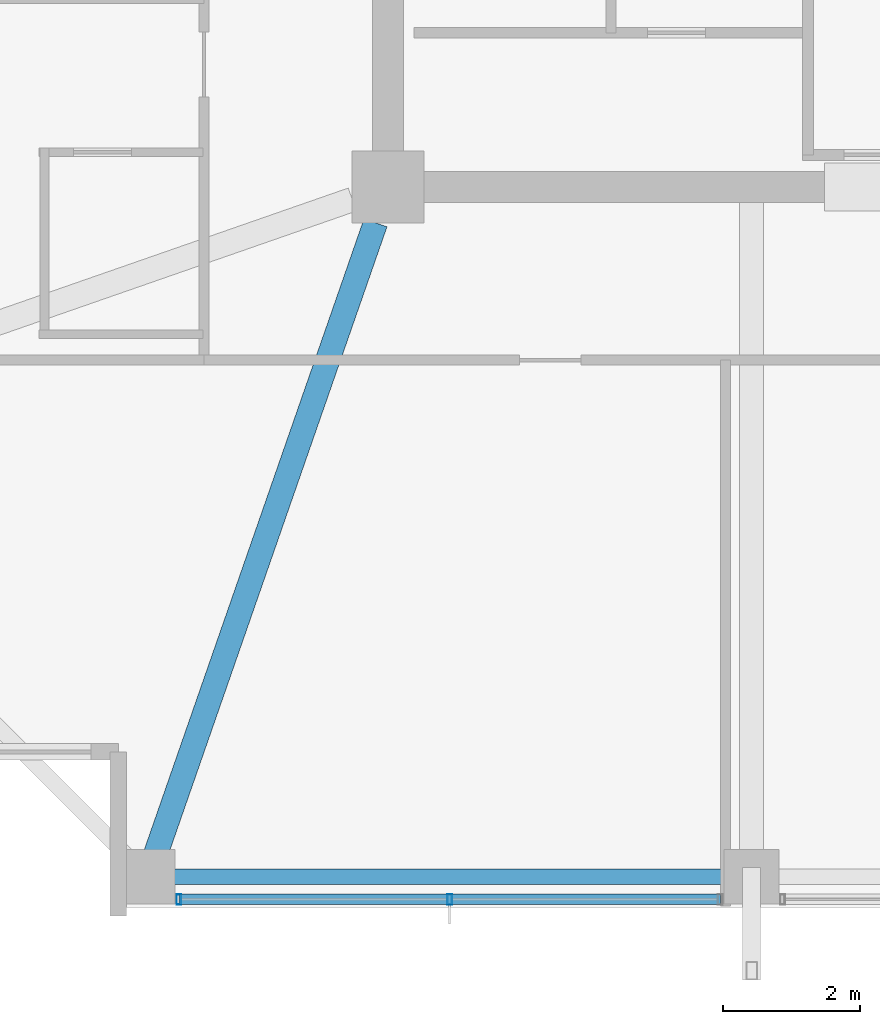
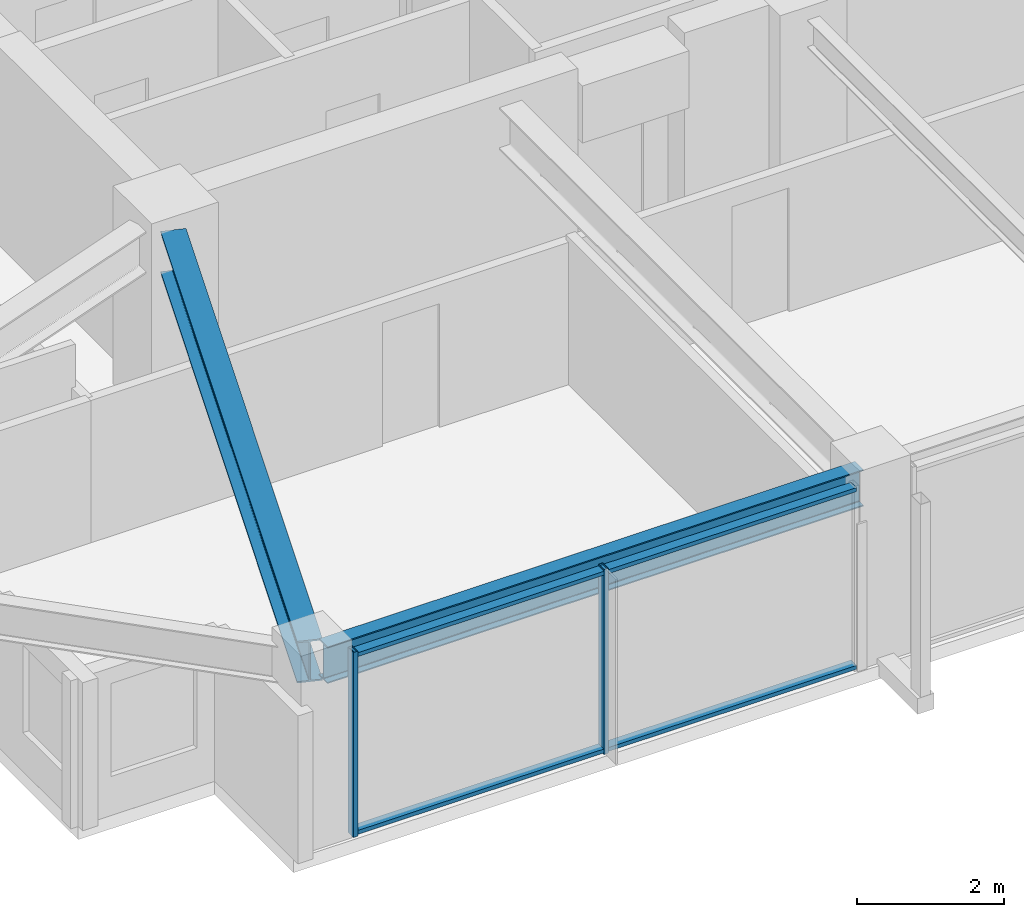
# One storey, part 2 of 33: 4 members, 2 beams, 1 element without a shape of its own.
"""IFC4 building model written with IfcOpenShell, lengths in metres."""

from ifc_helpers import new_model, si_unit, direction, frame, origin, origin_2d, place, context, subcontext, project, spatial, hollow_rectangle, i_section, extrude, material, material_profile, profile_set, type_object, element, aggregate, save


model = new_model("IFC4")

# Units and contexts
model_context = context("Model", 3, precision=1e-05, world=origin(), true_north=direction((0.0, 1.0)))
body_context = subcontext(model_context, "Body", "Model", "MODEL_VIEW")
ifc_project = project(units=[si_unit("LENGTHUNIT", "METRE"), si_unit("AREAUNIT", "SQUARE_METRE"), si_unit("VOLUMEUNIT", "CUBIC_METRE"), si_unit("PLANEANGLEUNIT", "RADIAN"), si_unit("MASSUNIT", "GRAM", prefix="KILO")], contexts=[model_context])

# Site, building, storey
site_placement = place(None, origin())
site = spatial("IfcSite", under=ifc_project, at=site_placement, CompositionType="ELEMENT")
building_placement = place(site_placement, origin())
building = spatial("IfcBuilding", under=site, at=building_placement, Name="Kolvaren Belvedere", CompositionType="ELEMENT")
storey_placement = place(building_placement, frame((0.0, 0.0, 209.699951171875)))
storey = spatial("IfcBuildingStorey", under=building, at=storey_placement, Name="L61", CompositionType="ELEMENT", Elevation=209.699951171875)

# Beams
ifc_material_1 = material(Name="Structural steel ASTM A992 Grade 50", Category="steel")
ifc_material_profile_1 = material_profile(ifc_material_1, i_section(OverallWidth=0.35498046875, OverallDepth=0.696044921875, WebThickness=0.015380859375, FlangeThickness=0.02490234375, FilletRadius=0.02197265625, at=origin_2d()), Name="W27X146")
ifc_profile_set_1 = profile_set([ifc_material_profile_1], Name="Structural steel ASTM A992 Grade 50")
beam_type_1 = type_object("IfcBeamType", Name="BM-GIRD-W27X146", PredefinedType="BEAM", material=ifc_profile_set_1)
beam_1_placement = place(storey_placement, frame((-10.080810546875, -10.41943359375, 2.73193359375), z_axis=(-0.328898147971, -0.944365399758, 0.0), x_axis=(0.944365399758, -0.328898147971, 0.0)))
element("IfcBeam", 1, at=beam_1_placement, inside=storey, type_object=beam_type_1, Name="L61 Corner Core-to-Perimeter Girder CC1-S1", PredefinedType="BEAM", context=body_context, shape_type="SweptSolid", body=[
    extrude(i_section(OverallWidth=0.35498046875, OverallDepth=0.696044921875, WebThickness=0.015380859375, FlangeThickness=0.02490234375, FilletRadius=0.02197265625, at=origin_2d()), origin(), (0.0, 0.0, 1.0), 9.931884765625),
])
ifc_material_2 = material(Name="Structural steel ASTM A992 Grade 50", Category="steel")
ifc_material_profile_2 = material_profile(ifc_material_2, i_section(OverallWidth=0.22900390625, OverallDepth=0.612060546875, WebThickness=0.011962890625, FlangeThickness=0.01953125, FilletRadius=0.01806640625, at=origin_2d()), Name="W24X84")
ifc_profile_set_2 = profile_set([ifc_material_profile_2], Name="Structural steel ASTM A992 Grade 50")
beam_type_2 = type_object("IfcBeamType", Name="BM-SPAN-W24X84", PredefinedType="SPANDREL", material=ifc_profile_set_2)
beam_2_placement = place(storey_placement, frame((-13.219970703125, -19.949951171875, 2.774169921875), z_axis=(1.0, 0.0, 0.0), x_axis=(0.0, 1.0, 0.0)))
element("IfcBeam", 2, at=beam_2_placement, inside=storey, type_object=beam_type_2, Name="L61 Perimeter Spandrel S1-S2", PredefinedType="SPANDREL", context=body_context, shape_type="SweptSolid", body=[
    extrude(i_section(OverallWidth=0.22900390625, OverallDepth=0.612060546875, WebThickness=0.011962890625, FlangeThickness=0.01953125, FilletRadius=0.01806640625, at=origin_2d()), origin(), (0.0, 0.0, 1.0), 8.43994140625),
])

# Curtain wall, members
ifc_material_3 = material(Name="Anodised pale-metal aluminium AA 6063-T6", Category="aluminium")
curtain_wall_type = type_object("IfcCurtainWallType", Name="CW-Z5-HIGH", PredefinedType="NOTDEFINED", material=ifc_material_3)
curtain_wall_placement = place(storey_placement, origin())
curtain_wall = element("IfcCurtainWall", 3, at=curtain_wall_placement, inside=storey, type_object=curtain_wall_type, Name="L61 Unitised Curtain Wall FCW-L61-S-B3", PredefinedType="NOTDEFINED")
ifc_material_4 = material(Name="Anodised pale-metal aluminium AA 6063-T6", Category="aluminium")
ifc_material_profile_3 = material_profile(ifc_material_4, hollow_rectangle(XDim=0.070068359375, YDim=0.14990234375, WallThickness=0.004150390625, at=origin_2d()), Name="ALU-MUL-150X70")
ifc_profile_set_3 = profile_set([ifc_material_profile_3], Name="Anodised pale-metal aluminium AA 6063-T6")
member_type_1 = type_object("IfcMemberType", Name="CW-MUL-150", PredefinedType="MULLION", material=ifc_profile_set_3)
member_1_placement = place(storey_placement, frame((-9.0, -20.280029296875, 0.0), z_axis=(0.0, 0.0, 1.0), x_axis=(1.0, 0.0, 0.0)))
member_1 = element("IfcMember", 4, at=member_1_placement, type_object=member_type_1, Name="FCW-L61-S-B3 Unitised Mullion 2", PredefinedType="MULLION", context=body_context, shape_type="SweptSolid", body=[
    extrude(hollow_rectangle(XDim=0.070068359375, YDim=0.14990234375, WallThickness=0.004150390625, at=origin_2d()), origin(), (0.0, 0.0, 1.0), 3.080078125),
])
member_2_placement = place(storey_placement, frame((-12.945068359375, -20.280029296875, 0.0), z_axis=(0.0, 0.0, 1.0), x_axis=(1.0, 0.0, 0.0)))
member_2 = element("IfcMember", 5, at=member_2_placement, type_object=member_type_1, Name="FCW-L61-S-B3 Unitised Mullion 3", PredefinedType="MULLION", context=body_context, shape_type="SweptSolid", body=[
    extrude(hollow_rectangle(XDim=0.070068359375, YDim=0.14990234375, WallThickness=0.004150390625, at=origin_2d()), origin(), (0.0, 0.0, 1.0), 3.080078125),
])
ifc_material_5 = material(Name="Anodised pale-metal aluminium AA 6063-T6", Category="aluminium")
ifc_material_profile_4 = material_profile(ifc_material_5, hollow_rectangle(XDim=0.06494140625, YDim=0.14990234375, WallThickness=0.00390625, at=origin_2d()), Name="ALU-TRN-150X65")
ifc_profile_set_4 = profile_set([ifc_material_profile_4], Name="Anodised pale-metal aluminium AA 6063-T6")
member_type_2 = type_object("IfcMemberType", Name="CW-TRN-150", PredefinedType="USERDEFINED", material=ifc_profile_set_4)
member_3_placement = place(storey_placement, frame((-5.054931640625, -20.280029296875, 0.06005859375), z_axis=(-1.0, 0.0, 0.0), x_axis=(0.0, 0.0, 1.0)))
member_3 = element("IfcMember", 6, at=member_3_placement, type_object=member_type_2, Name="FCW-L61-S-B3 Sill Transom", ObjectType="TRANSOM", PredefinedType="USERDEFINED", context=body_context, shape_type="SweptSolid", body=[
    extrude(hollow_rectangle(XDim=0.06494140625, YDim=0.14990234375, WallThickness=0.00390625, at=origin_2d()), origin(), (0.0, 0.0, 1.0), 7.89013671875),
])
member_4_placement = place(storey_placement, frame((-5.054931640625, -20.280029296875, 3.02001953125), z_axis=(-1.0, 0.0, 0.0), x_axis=(0.0, 0.0, 1.0)))
member_4 = element("IfcMember", 7, at=member_4_placement, type_object=member_type_2, Name="FCW-L61-S-B3 Head Transom", ObjectType="TRANSOM", PredefinedType="USERDEFINED", context=body_context, shape_type="SweptSolid", body=[
    extrude(hollow_rectangle(XDim=0.06494140625, YDim=0.14990234375, WallThickness=0.00390625, at=origin_2d()), origin(), (0.0, 0.0, 1.0), 7.89013671875),
])
aggregate(curtain_wall, [member_1, member_2, member_3, member_4])

save(model, "model.ifc")
